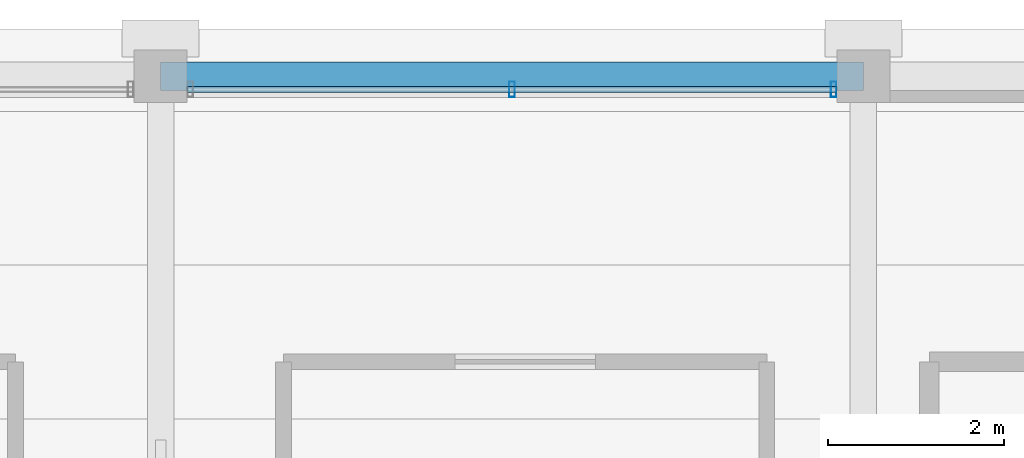
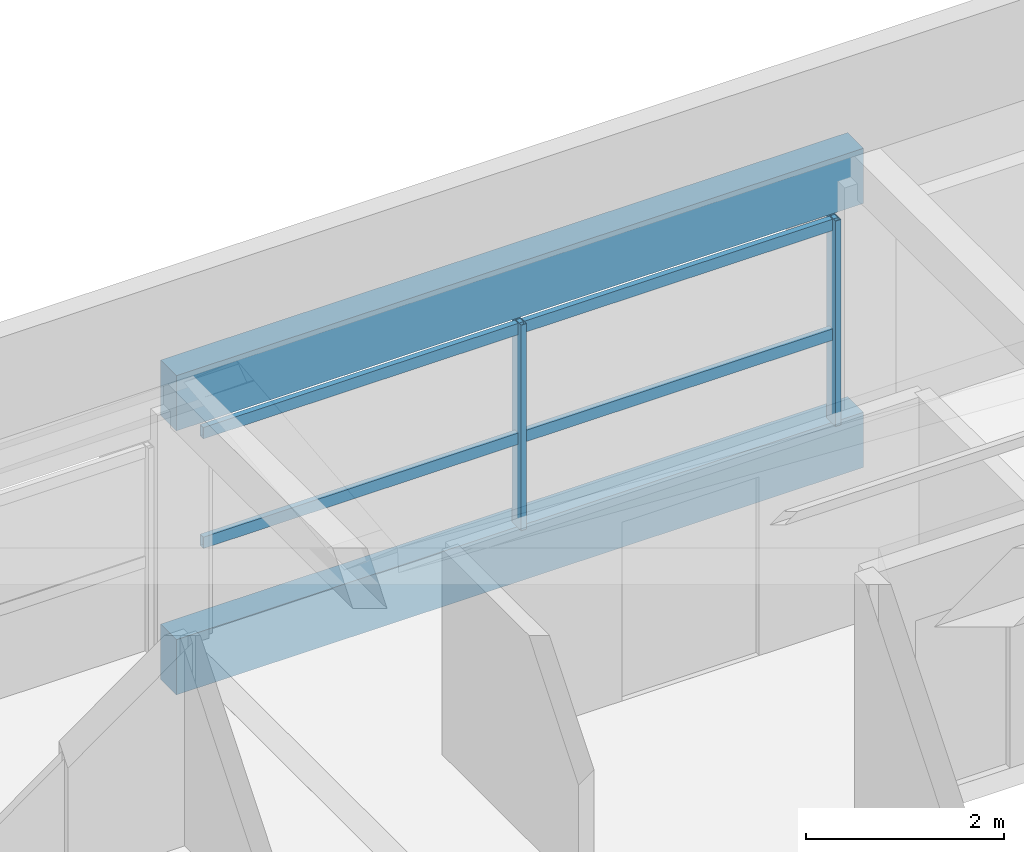
# One storey, part 23 of 39: 4 members, 2 beams, 1 element without a shape of its own.
"""IFC4 building model written with IfcOpenShell, lengths in metres."""

from ifc_helpers import new_model, si_unit, direction, frame, origin, origin_2d, place, context, subcontext, project, spatial, rectangle, hollow_rectangle, extrude, material, material_profile, profile_set, type_object, element, aggregate, save


model = new_model("IFC4")

# Units and contexts
model_context = context("Model", 3, precision=1e-05, world=origin(), true_north=direction((0.0, 1.0)))
body_context = subcontext(model_context, "Body", "Model", "MODEL_VIEW")
ifc_project = project(units=[si_unit("LENGTHUNIT", "METRE"), si_unit("AREAUNIT", "SQUARE_METRE"), si_unit("VOLUMEUNIT", "CUBIC_METRE"), si_unit("PLANEANGLEUNIT", "RADIAN"), si_unit("MASSUNIT", "GRAM", prefix="KILO")], contexts=[model_context])

# Site, building, storey
site_placement = place(None, origin())
site = spatial("IfcSite", under=ifc_project, at=site_placement, CompositionType="ELEMENT")
building_placement = place(site_placement, origin())
building = spatial("IfcBuilding", under=site, at=building_placement, Name="Akrevak Sports Hall", CompositionType="ELEMENT")
storey_placement = place(building_placement, frame((0.0, 0.0, 66.550048828125)))
storey = spatial("IfcBuildingStorey", under=building, at=storey_placement, Name="L17", CompositionType="ELEMENT", Elevation=66.550048828125)

# Curtain wall, members
ifc_material_1 = material(Name="Anodized Bronze Aluminium & Low-E Glass", Category="aluminium")
curtain_wall_type = type_object("IfcCurtainWallType", Name="ARC-CW-TWR-68x30", PredefinedType="NOTDEFINED", material=ifc_material_1)
curtain_wall_placement = place(storey_placement, origin())
curtain_wall = element("IfcCurtainWall", 1, at=curtain_wall_placement, inside=storey, type_object=curtain_wall_type, Name="Curtain Wall CW-L17-N19", PredefinedType="NOTDEFINED")
ifc_material_2 = material(Name="Anodized Bronze Aluminium", Category="aluminium")
ifc_material_profile_1 = material_profile(ifc_material_2, hollow_rectangle(XDim=0.06494140625, YDim=0.179931640625, WallThickness=0.00390625, at=origin_2d()), Name="CWM 65x180", Category="aluminium")
ifc_profile_set_1 = profile_set([ifc_material_profile_1], Name="Anodized Bronze Aluminium")
member_type_1 = type_object("IfcMemberType", Name="ARC-CWM-65x140", PredefinedType="MULLION", material=ifc_profile_set_1)
member_1_placement = place(storey_placement, frame((91.659912109375, 69.449951171875, 0.0), z_axis=(0.0, 0.0, 1.0), x_axis=(-1.0, 0.0, 0.0)))
member_1 = element("IfcMember", 2, at=member_1_placement, type_object=member_type_1, Name="Curtain Wall Mullion CW-L17-N19-M1", PredefinedType="MULLION", context=body_context, shape_type="SweptSolid", body=[
    extrude(hollow_rectangle(XDim=0.06494140625, YDim=0.179931640625, WallThickness=0.00390625, at=origin_2d()), origin(), (0.0, 0.0, 1.0), 2.530029296875),
])
member_2_placement = place(storey_placement, frame((88.0, 69.449951171875, 0.0), z_axis=(0.0, 0.0, 1.0), x_axis=(-1.0, 0.0, 0.0)))
member_2 = element("IfcMember", 3, at=member_2_placement, type_object=member_type_1, Name="Curtain Wall Mullion CW-L17-N19-M2", PredefinedType="MULLION", context=body_context, shape_type="SweptSolid", body=[
    extrude(hollow_rectangle(XDim=0.06494140625, YDim=0.179931640625, WallThickness=0.00390625, at=origin_2d()), origin(), (0.0, 0.0, 1.0), 2.530029296875),
])
ifc_material_profile_2 = material_profile(ifc_material_2, hollow_rectangle(XDim=0.06494140625, YDim=0.139892578125, WallThickness=0.00390625, at=origin_2d()), Name="CWT 65x140", Category="aluminium")
ifc_profile_set_2 = profile_set([ifc_material_profile_2], Name="Anodized Bronze Aluminium")
member_type_2 = type_object("IfcMemberType", Name="ARC-CWT-65x110", PredefinedType="USERDEFINED", material=ifc_profile_set_2)
member_3_placement = place(storey_placement, frame((91.699951171875, 69.449951171875, 1.099853515625), z_axis=(-1.0, 0.0, 0.0), x_axis=(0.0, -1.0, 0.0)))
member_3 = element("IfcMember", 4, at=member_3_placement, type_object=member_type_2, Name="Curtain Wall Transom CW-L17-N19-T1", ObjectType="TRANSOM", PredefinedType="USERDEFINED", context=body_context, shape_type="SweptSolid", body=[
    extrude(hollow_rectangle(XDim=0.06494140625, YDim=0.139892578125, WallThickness=0.00390625, at=origin_2d()), origin(), (0.0, 0.0, 1.0), 7.39990234375),
])
member_4_placement = place(storey_placement, frame((91.699951171875, 69.449951171875, 2.449951171875), z_axis=(-1.0, 0.0, 0.0), x_axis=(0.0, -1.0, 0.0)))
member_4 = element("IfcMember", 5, at=member_4_placement, type_object=member_type_2, Name="Curtain Wall Transom CW-L17-N19-T2", ObjectType="TRANSOM", PredefinedType="USERDEFINED", context=body_context, shape_type="SweptSolid", body=[
    extrude(hollow_rectangle(XDim=0.06494140625, YDim=0.139892578125, WallThickness=0.00390625, at=origin_2d()), origin(), (0.0, 0.0, 1.0), 7.39990234375),
])
aggregate(curtain_wall, [member_1, member_2, member_3, member_4])

# Beams
ifc_material_3 = material(Name="Concrete C40/50", Category="concrete")
ifc_material_profile_3 = material_profile(ifc_material_3, rectangle(XDim=0.320068359375, YDim=0.679931640625, at=origin_2d()), Name="SPD 320x680", Category="concrete")
ifc_profile_set_3 = profile_set([ifc_material_profile_3], Name="Concrete C40/50")
beam_type = type_object("IfcBeamType", Name="STR-SPD-RC320x680", PredefinedType="SPANDREL", material=ifc_profile_set_3)
for number, where, z_axis, x_axis, name in (
    (6, (84.0, 69.60009765625, -0.340087890625), (1.0, 0.0, 0.0), (0.0, 1.0, 0.0), "Girder K/12-13 (L17)"),
    (7, (84.0, 69.60009765625, 2.909912109375), (1.0, 0.0, 0.0), (0.0, 1.0, 0.0), "Girder K/12-13 (ROOF)"),
):
    element("IfcBeam", number, at=place(storey_placement, frame(where, z_axis=z_axis, x_axis=x_axis)), inside=storey, type_object=beam_type, Name=name, PredefinedType="SPANDREL", context=body_context, shape_type="SweptSolid", body=[
        extrude(rectangle(XDim=0.320068359375, YDim=0.679931640625, at=origin_2d()), origin(), (0.0, 0.0, 1.0), 8.0),
    ])

save(model, "model.ifc")
